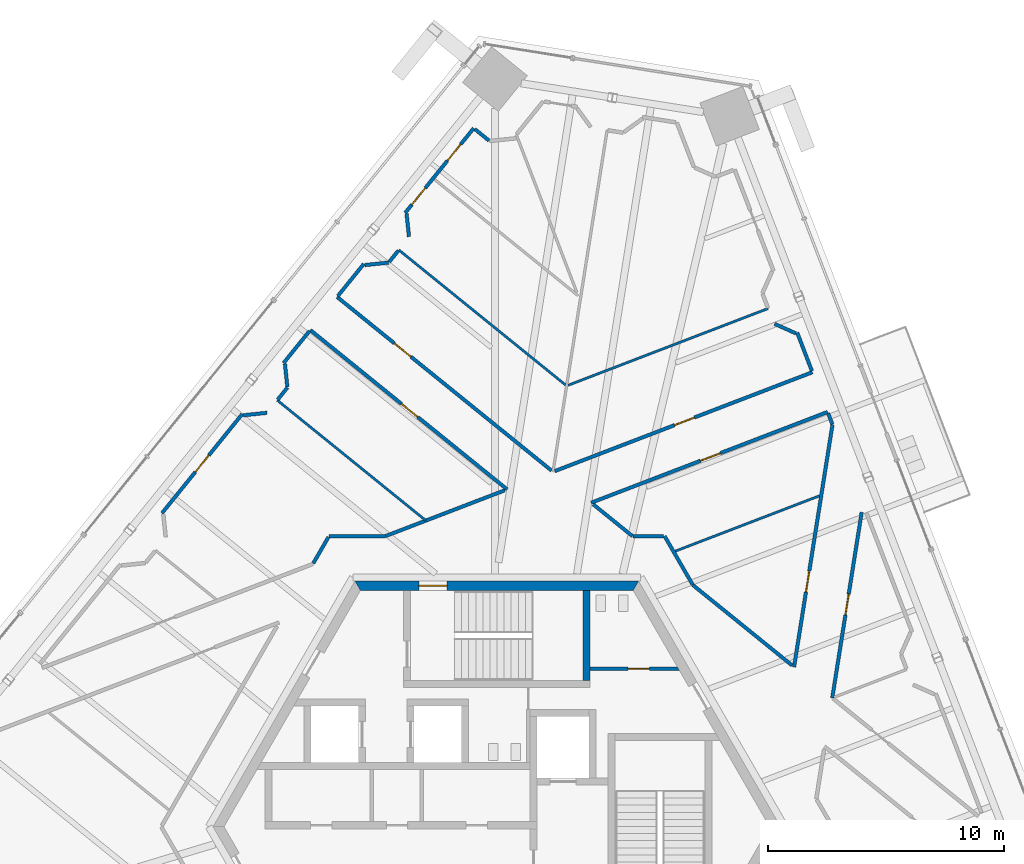
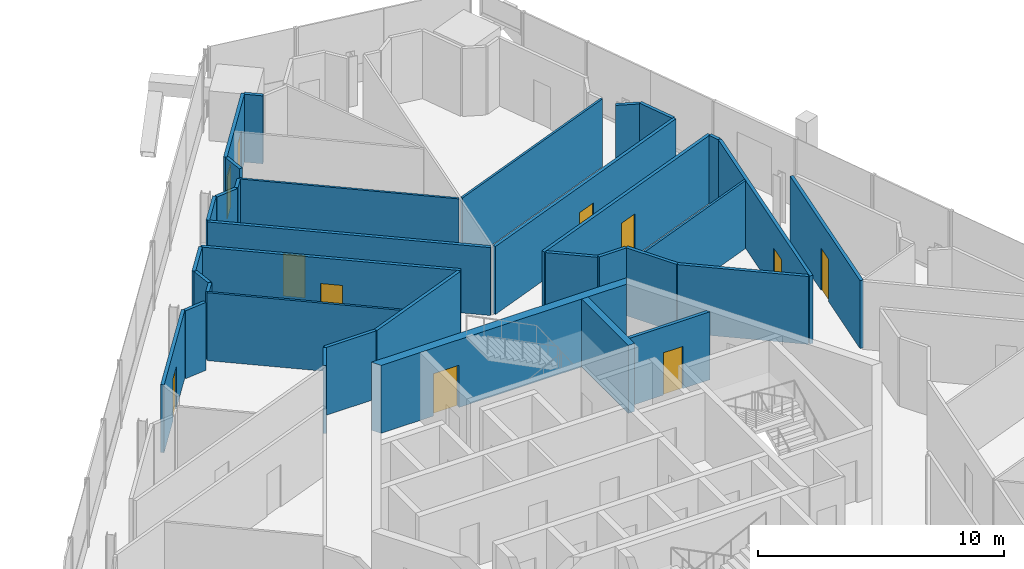
# One storey, part 17 of 23: 34 walls, 11 doors, 11 openings.
"""IFC4 building model written with IfcOpenShell, lengths in metres."""

from ifc_helpers import new_model, si_unit, direction, frame, frame_2d, origin, place, context, subcontext, project, spatial, polyline, rectangle, outline, extrude, source, transform, mapped, material, layer, layer_set, type_object, element, fill, save


model = new_model("IFC4")

# Units and contexts
model_context = context("Model", 3, precision=1e-05, world=origin(), true_north=direction((0.0, 1.0)))
body_context = subcontext(model_context, "Body", "Model", "MODEL_VIEW")
ifc_project = project(units=[si_unit("LENGTHUNIT", "METRE"), si_unit("AREAUNIT", "SQUARE_METRE"), si_unit("VOLUMEUNIT", "CUBIC_METRE"), si_unit("PLANEANGLEUNIT", "RADIAN"), si_unit("MASSUNIT", "GRAM", prefix="KILO")], contexts=[model_context])

# Site, building, storey
site_placement = place(None, origin())
site = spatial("IfcSite", under=ifc_project, at=site_placement, CompositionType="ELEMENT")
building_placement = place(site_placement, origin())
building = spatial("IfcBuilding", under=site, at=building_placement, Name="Triune Harvest Tower", CompositionType="ELEMENT")
storey_placement = place(building_placement, frame((0.0, 0.0, 171.300048828125)))
storey = spatial("IfcBuildingStorey", under=building, at=storey_placement, Name="L44", CompositionType="ELEMENT", Elevation=171.300048828125)

# Wall, opening, door
ifc_material_1 = material(Name="Concrete masonry unit", Category="masonry")
ifc_layer_1 = layer(ifc_material_1, 0.14990234375)
ifc_layer_set_1 = layer_set([ifc_layer_1], Name="Concrete masonry unit")
wall_type_1 = type_object("IfcWallType", Name="Block partition 150 unrated", PredefinedType="PARTITIONING", material=ifc_layer_set_1)
wall_1_placement = place(storey_placement, frame((3.949951171875, 6.675048828125, 0.0), z_axis=(0.0, 0.0, 1.0), x_axis=(1.0, 0.0, 0.0)))
wall_1 = element("IfcWall", 1, at=wall_1_placement, inside=storey, type_object=wall_type_1, Name="Wc women south wall", PredefinedType="PARTITIONING", context=body_context, shape_type="SweptSolid", body=[
    extrude(outline(polyline([(0.0, -0.074951171875), (0.0, 0.074951171875), (3.693359375, 0.074951171875), (3.77978515625, -0.074951171875), (0.0, -0.074951171875)])), origin(), (0.0, 0.0, 1.0), 3.375),
])
opening_1_placement = place(wall_1_placement, frame((1.60009765625, 0.0, 0.0)))
opening_1 = element("IfcOpeningElement", 2, at=opening_1_placement, cuts=wall_1, Name="Opening CD-WW", PredefinedType="OPENING", context=body_context, shape_type="SweptSolid", body=[
    extrude(rectangle(XDim=0.89990234375, YDim=2.10009765625, at=frame_2d((0.449951171875, 1.050048828125))), frame((0.0, 0.0849609375, 0.0), z_axis=(0.0, -1.0, 0.0), x_axis=(1.0, 0.0, 0.0)), (0.0, 0.0, 1.0), 0.169921875),
])
ifc_material_2 = material(Name="Timber C24", Category="wood")
door_type_1 = type_object("IfcDoorType", Name="WC door 900", OperationType="SINGLE_SWING_LEFT", PredefinedType="DOOR", material=ifc_material_2)
door_1_placement = place(opening_1_placement, origin())
door_1 = element("IfcDoor", 3, at=door_1_placement, inside=storey, type_object=door_type_1, Name="Door CD-WW", OperationType="SINGLE_SWING_LEFT", OverallHeight=2.10009765625, OverallWidth=0.89990234375, PredefinedType="DOOR", context=body_context, shape_type="SweptSolid", body=[
    extrude(rectangle(XDim=0.89990234375, YDim=2.10009765625, at=frame_2d((0.449951171875, 1.050048828125))), frame((0.0, 0.02490234375, 0.0), z_axis=(0.0, -1.0, 0.0), x_axis=(1.0, 0.0, 0.0)), (0.0, 0.0, 1.0), 0.050048828125),
])
fill(opening_1, door_1)

# Walls
ifc_material_3 = material(Name="Gypsum board on steel studs", Category="steel")
ifc_layer_2 = layer(ifc_material_3, 0.14990234375)
ifc_layer_set_2 = layer_set([ifc_layer_2], Name="Gypsum board on steel studs")
wall_type_2 = type_object("IfcWallType", Name="Fire Partition 150 mm", PredefinedType="PARTITIONING", material=ifc_layer_set_2)
wall_2_placement = place(storey_placement, frame((14.014892578125, 17.48681640625, 0.0), z_axis=(0.0, 0.0, 1.0), x_axis=(0.358412723489, -0.933563238159, 0.0)))
element("IfcWall", 4, at=wall_2_placement, inside=storey, type_object=wall_type_2, Name="Partition L44 019", PredefinedType="PARTITIONING", context=body_context, shape_type="SweptSolid", body=[
    extrude(rectangle(XDim=0.4912109375, YDim=0.14990234375, at=frame_2d((0.24560546875, 0.0))), origin(), (0.0, 0.0, 1.0), 3.375),
])
wall_3_placement = place(storey_placement, frame((7.097412109375, 12.2919921875, 0.0), z_axis=(0.0, 0.0, 1.0), x_axis=(0.499956277081, -0.866050645752, 0.0)))
element("IfcWall", 5, at=wall_3_placement, inside=storey, type_object=wall_type_2, Name="Partition L44 025", PredefinedType="PARTITIONING", context=body_context, shape_type="SweptSolid", body=[
    extrude(rectangle(XDim=2.380126953125, YDim=0.14990234375, at=frame_2d((1.18994140625, 0.0))), origin(), (0.0, 0.0, 1.0), 3.375),
])

# Wall, opening, door
wall_4_placement = place(storey_placement, frame((-6.7548828125, 22.406982421875, 0.0), z_axis=(0.0, 0.0, 1.0), x_axis=(0.777146947686, -0.629319173157, 0.0)))
wall_4 = element("IfcWall", 6, at=wall_4_placement, inside=storey, type_object=wall_type_2, Name="Partition L44 043", PredefinedType="PARTITIONING", context=body_context, shape_type="SweptSolid", body=[
    extrude(rectangle(XDim=11.67138671875, YDim=0.14990234375, at=frame_2d((5.835693359375, 0.0))), origin(), (0.0, 0.0, 1.0), 3.375),
])
opening_2_placement = place(wall_4_placement, frame((3.118408203125, 0.0, 0.0)))
opening_2 = element("IfcOpeningElement", 7, at=opening_2_placement, cuts=wall_4, Name="Opening L44-016", PredefinedType="OPENING", context=body_context, shape_type="SweptSolid", body=[
    extrude(rectangle(XDim=0.89990234375, YDim=2.10009765625, at=frame_2d((0.449951171875, 1.050048828125))), frame((0.0, 0.0849609375, 0.0), z_axis=(0.0, -1.0, 0.0), x_axis=(1.0, 0.0, 0.0)), (0.0, 0.0, 1.0), 0.169921875),
])
ifc_material_4 = material(Name="Timber and steel door set", Category="steel")
door_type_2 = type_object("IfcDoorType", Name="Single leaf door FD30 left hand 900 x 2100", OperationType="SINGLE_SWING_LEFT", PredefinedType="DOOR", material=ifc_material_4)
door_2_placement = place(opening_2_placement, origin())
door_2 = element("IfcDoor", 8, at=door_2_placement, inside=storey, type_object=door_type_2, Name="Door L44-016 Office 44.16", OperationType="SINGLE_SWING_LEFT", OverallHeight=2.10009765625, OverallWidth=0.89990234375, PredefinedType="DOOR", context=body_context, shape_type="SweptSolid", body=[
    extrude(rectangle(XDim=0.89990234375, YDim=2.10009765625, at=frame_2d((0.449951171875, 1.050048828125))), frame((0.0, 0.02490234375, 0.0), z_axis=(0.0, -1.0, 0.0), x_axis=(1.0, 0.0, 0.0)), (0.0, 0.0, 1.0), 0.050048828125),
])
fill(opening_2, door_2)

# Walls
wall_5_placement = place(storey_placement, frame((8.292236328125, 10.221923828125, 0.0), z_axis=(0.0, 0.0, 1.0), x_axis=(0.777158520976, -0.629304881019, 0.0)))
element("IfcWall", 9, at=wall_5_placement, inside=storey, type_object=wall_type_2, Name="Partition L44 045", PredefinedType="PARTITIONING", context=body_context, shape_type="SweptSolid", body=[
    extrude(rectangle(XDim=5.3994140625, YDim=0.14990234375, at=frame_2d((2.69970703125, 0.0))), origin(), (0.0, 0.0, 1.0), 3.375),
])
wall_6_placement = place(storey_placement, frame((5.765625, 12.292236328125, 0.0), z_axis=(0.0, 0.0, 1.0), x_axis=(1.0, 0.0, 0.0)))
element("IfcWall", 10, at=wall_6_placement, inside=storey, type_object=wall_type_2, Name="Partition L44 076", PredefinedType="PARTITIONING", context=body_context, shape_type="SweptSolid", body=[
    extrude(rectangle(XDim=1.281494140625, YDim=0.14990234375, at=frame_2d((0.640625, 0.0))), origin(), (0.0, 0.0, 1.0), 3.375),
])
wall_7_placement = place(storey_placement, frame((-4.70654296875, 12.292236328125, 0.0), z_axis=(0.0, 0.0, 1.0), x_axis=(0.933580798553, 0.358366980305, 0.0)))
element("IfcWall", 11, at=wall_7_placement, inside=storey, type_object=wall_type_2, Name="Partition L44 095", PredefinedType="PARTITIONING", context=body_context, shape_type="SweptSolid", body=[
    extrude(rectangle(XDim=5.399658203125, YDim=0.14990234375, at=frame_2d((2.69970703125, 0.0))), origin(), (0.0, 0.0, 1.0), 3.375),
])

# Wall, opening, door
wall_8_placement = place(storey_placement, frame((2.452392578125, 15.040283203125, 0.0), z_axis=(0.0, 0.0, 1.0), x_axis=(0.9335793899, 0.358370649961, 0.0)))
wall_8 = element("IfcWall", 12, at=wall_8_placement, inside=storey, type_object=wall_type_2, Name="Partition L44 096", PredefinedType="PARTITIONING", context=body_context, shape_type="SweptSolid", body=[
    extrude(rectangle(XDim=11.671142578125, YDim=0.14990234375, at=frame_2d((5.83544921875, 0.0))), origin(), (0.0, 0.0, 1.0), 3.375),
])
opening_3_placement = place(wall_8_placement, frame((5.421142578125, 0.0, 0.0)))
opening_3 = element("IfcOpeningElement", 13, at=opening_3_placement, cuts=wall_8, Name="Opening L44-009", PredefinedType="OPENING", context=body_context, shape_type="SweptSolid", body=[
    extrude(rectangle(XDim=0.89990234375, YDim=2.10009765625, at=frame_2d((0.449951171875, 1.050048828125))), frame((0.0, 0.0849609375, 0.0), z_axis=(0.0, -1.0, 0.0), x_axis=(1.0, 0.0, 0.0)), (0.0, 0.0, 1.0), 0.169921875),
])
ifc_material_5 = material(Name="Timber and steel door set", Category="steel")
door_type_3 = type_object("IfcDoorType", Name="Single leaf door FD30 right hand 900 x 2100", OperationType="SINGLE_SWING_RIGHT", PredefinedType="DOOR", material=ifc_material_5)
door_3_placement = place(opening_3_placement, origin())
door_3 = element("IfcDoor", 14, at=door_3_placement, inside=storey, type_object=door_type_3, Name="Door L44-009 Meeting Room 44.09", OperationType="SINGLE_SWING_RIGHT", OverallHeight=2.10009765625, OverallWidth=0.89990234375, PredefinedType="DOOR", context=body_context, shape_type="SweptSolid", body=[
    extrude(rectangle(XDim=0.89990234375, YDim=2.10009765625, at=frame_2d((0.449951171875, 1.050048828125))), frame((0.0, 0.02490234375, 0.0), z_axis=(0.0, -1.0, 0.0), x_axis=(1.0, 0.0, 0.0)), (0.0, 0.0, 1.0), 0.050048828125),
])
fill(opening_3, door_3)

# Walls
wall_9_placement = place(storey_placement, frame((-9.265625, 18.06640625, 0.0), z_axis=(0.0, 0.0, 1.0), x_axis=(0.629209009151, 0.777236143526, 0.0)))
element("IfcWall", 15, at=wall_9_placement, inside=storey, type_object=wall_type_2, Name="Partition L44 114", PredefinedType="PARTITIONING", context=body_context, shape_type="SweptSolid", body=[
    extrude(rectangle(XDim=0.6513671875, YDim=0.14990234375, at=frame_2d((0.32568359375, 0.0))), origin(), (0.0, 0.0, 1.0), 3.375),
])
wall_10_placement = place(storey_placement, frame((-4.555419921875, 23.88330078125, 0.0), z_axis=(0.0, 0.0, 1.0), x_axis=(0.629424112521, 0.777061958004, 0.0)))
element("IfcWall", 16, at=wall_10_placement, inside=storey, type_object=wall_type_2, Name="Partition L44 115", PredefinedType="PARTITIONING", context=body_context, shape_type="SweptSolid", body=[
    extrude(rectangle(XDim=0.621826171875, YDim=0.14990234375, at=frame_2d((0.31103515625, 0.0))), origin(), (0.0, 0.0, 1.0), 3.375),
])
wall_11_placement = place(storey_placement, frame((-9.01806640625, 19.612060546875, 0.0), z_axis=(0.0, 0.0, 1.0), x_axis=(0.629338998071, 0.777130893419, 0.0)))
element("IfcWall", 17, at=wall_11_placement, inside=storey, type_object=wall_type_2, Name="Partition L44 120", PredefinedType="PARTITIONING", context=body_context, shape_type="SweptSolid", body=[
    extrude(rectangle(XDim=1.74609375, YDim=0.14990234375, at=frame_2d((0.873046875, 0.0))), origin(), (0.0, 0.0, 1.0), 3.375),
])
wall_12_placement = place(storey_placement, frame((-6.722900390625, 22.4462890625, 0.0), z_axis=(0.0, 0.0, 1.0), x_axis=(0.629306866754, 0.777156913021, 0.0)))
element("IfcWall", 18, at=wall_12_placement, inside=storey, type_object=wall_type_2, Name="Partition L44 121", PredefinedType="PARTITIONING", context=body_context, shape_type="SweptSolid", body=[
    extrude(rectangle(XDim=1.745361328125, YDim=0.14990234375, at=frame_2d((0.87255859375, 0.0))), origin(), (0.0, 0.0, 1.0), 3.375),
])

# Wall, openings, doors
wall_13_placement = place(storey_placement, frame((-3.873046875, 25.965576171875, 0.0), z_axis=(0.0, 0.0, 1.0), x_axis=(0.629321811614, 0.777144811105, 0.0)))
wall_13 = element("IfcWall", 19, at=wall_13_placement, inside=storey, type_object=wall_type_2, Name="Partition L44 122", PredefinedType="PARTITIONING", context=body_context, shape_type="SweptSolid", body=[
    extrude(rectangle(XDim=4.60302734375, YDim=0.14990234375, at=frame_2d((2.301513671875, 0.0))), origin(), (0.0, 0.0, 1.0), 3.375),
])
opening_4_placement = place(wall_13_placement, frame((0.449951171875, 0.0, 0.0)))
opening_4 = element("IfcOpeningElement", 20, at=opening_4_placement, cuts=wall_13, Name="Opening L44-013", PredefinedType="OPENING", context=body_context, shape_type="SweptSolid", body=[
    extrude(rectangle(XDim=0.89990234375, YDim=2.10009765625, at=frame_2d((0.449951171875, 1.050048828125))), frame((0.0, 0.0849609375, 0.0), z_axis=(0.0, -1.0, 0.0), x_axis=(1.0, 0.0, 0.0)), (0.0, 0.0, 1.0), 0.169921875),
])
opening_5_placement = place(wall_13_placement, frame((2.828369140625, 0.0, 0.0)))
opening_5 = element("IfcOpeningElement", 21, at=opening_5_placement, cuts=wall_13, Name="Opening L44-014", PredefinedType="OPENING", context=body_context, shape_type="SweptSolid", body=[
    extrude(rectangle(XDim=0.89990234375, YDim=2.10009765625, at=frame_2d((0.449951171875, 1.050048828125))), frame((0.0, 0.0849609375, 0.0), z_axis=(0.0, -1.0, 0.0), x_axis=(1.0, 0.0, 0.0)), (0.0, 0.0, 1.0), 0.169921875),
])
door_4_placement = place(opening_5_placement, origin())
door_4 = element("IfcDoor", 22, at=door_4_placement, inside=storey, type_object=door_type_2, Name="Door L44-014 Phone room 44.14", OperationType="SINGLE_SWING_LEFT", OverallHeight=2.10009765625, OverallWidth=0.89990234375, PredefinedType="DOOR", context=body_context, shape_type="SweptSolid", body=[
    extrude(rectangle(XDim=0.89990234375, YDim=2.10009765625, at=frame_2d((0.449951171875, 1.050048828125))), frame((0.0, 0.02490234375, 0.0), z_axis=(0.0, -1.0, 0.0), x_axis=(1.0, 0.0, 0.0)), (0.0, 0.0, 1.0), 0.050048828125),
])
fill(opening_5, door_4)
door_5_placement = place(opening_4_placement, origin())
door_5 = element("IfcDoor", 23, at=door_5_placement, inside=storey, type_object=door_type_3, Name="Door L44-013 Meeting Room 44.13", OperationType="SINGLE_SWING_RIGHT", OverallHeight=2.10009765625, OverallWidth=0.89990234375, PredefinedType="DOOR", context=body_context, shape_type="SweptSolid", body=[
    extrude(rectangle(XDim=0.89990234375, YDim=2.10009765625, at=frame_2d((0.449951171875, 1.050048828125))), frame((0.0, 0.02490234375, 0.0), z_axis=(0.0, -1.0, 0.0), x_axis=(1.0, 0.0, 0.0)), (0.0, 0.0, 1.0), 0.050048828125),
])
fill(opening_4, door_5)

# Wall
wall_14_placement = place(storey_placement, frame((-7.76220703125, 11.1396484375, 0.0), z_axis=(0.0, 0.0, 1.0), x_axis=(0.500074377092, 0.865982457891, 0.0)))
element("IfcWall", 24, at=wall_14_placement, inside=storey, type_object=wall_type_2, Name="Partition L44 126", PredefinedType="PARTITIONING", context=body_context, shape_type="SweptSolid", body=[
    extrude(rectangle(XDim=1.281005859375, YDim=0.14990234375, at=frame_2d((0.640625, 0.0))), origin(), (0.0, 0.0, 1.0), 3.375),
])

# Wall, opening, door
wall_15_placement = place(storey_placement, frame((14.189208984375, 5.44677734375, 0.0), z_axis=(0.0, 0.0, 1.0), x_axis=(0.156426162947, 0.987689655482, 0.0)))
wall_15 = element("IfcWall", 25, at=wall_15_placement, inside=storey, type_object=wall_type_2, Name="Partition L44 137", PredefinedType="PARTITIONING", context=body_context, shape_type="SweptSolid", body=[
    extrude(rectangle(XDim=7.950439453125, YDim=0.14990234375, at=frame_2d((3.97509765625, 0.0))), origin(), (0.0, 0.0, 1.0), 3.375),
])
opening_6_placement = place(wall_15_placement, frame((3.550048828125, 0.0, 0.0)))
opening_6 = element("IfcOpeningElement", 26, at=opening_6_placement, cuts=wall_15, Name="Opening L44-008", PredefinedType="OPENING", context=body_context, shape_type="SweptSolid", body=[
    extrude(rectangle(XDim=0.89990234375, YDim=2.10009765625, at=frame_2d((0.449951171875, 1.050048828125))), frame((0.0, 0.0849609375, 0.0), z_axis=(0.0, -1.0, 0.0), x_axis=(1.0, 0.0, 0.0)), (0.0, 0.0, 1.0), 0.169921875),
])
door_6_placement = place(opening_6_placement, origin())
door_6 = element("IfcDoor", 27, at=door_6_placement, inside=storey, type_object=door_type_2, Name="Door L44-008 Meeting Room 44.08", OperationType="SINGLE_SWING_LEFT", OverallHeight=2.10009765625, OverallWidth=0.89990234375, PredefinedType="DOOR", context=body_context, shape_type="SweptSolid", body=[
    extrude(rectangle(XDim=0.89990234375, YDim=2.10009765625, at=frame_2d((0.449951171875, 1.050048828125))), frame((0.0, 0.02490234375, 0.0), z_axis=(0.0, -1.0, 0.0), x_axis=(1.0, 0.0, 0.0)), (0.0, 0.0, 1.0), 0.050048828125),
])
fill(opening_6, door_6)

wall_16_placement = place(storey_placement, frame((12.573974609375, 6.754638671875, 0.0), z_axis=(0.0, 0.0, 1.0), x_axis=(0.156423837859, 0.987690023717, 0.0)))
wall_16 = element("IfcWall", 28, at=wall_16_placement, inside=storey, type_object=wall_type_2, Name="Partition L44 139", PredefinedType="PARTITIONING", context=body_context, shape_type="SweptSolid", body=[
    extrude(rectangle(XDim=10.382080078125, YDim=0.14990234375, at=frame_2d((5.19091796875, 0.0))), origin(), (0.0, 0.0, 1.0), 3.375),
])
opening_7_placement = place(wall_16_placement, frame((3.211181640625, 0.0, 0.0)))
opening_7 = element("IfcOpeningElement", 29, at=opening_7_placement, cuts=wall_16, Name="Opening L44-007", PredefinedType="OPENING", context=body_context, shape_type="SweptSolid", body=[
    extrude(rectangle(XDim=0.89990234375, YDim=2.10009765625, at=frame_2d((0.449951171875, 1.050048828125))), frame((0.0, 0.0849609375, 0.0), z_axis=(0.0, -1.0, 0.0), x_axis=(1.0, 0.0, 0.0)), (0.0, 0.0, 1.0), 0.169921875),
])
door_7_placement = place(opening_7_placement, origin())
door_7 = element("IfcDoor", 30, at=door_7_placement, inside=storey, type_object=door_type_2, Name="Door L44-007 Meeting Room 44.07", OperationType="SINGLE_SWING_LEFT", OverallHeight=2.10009765625, OverallWidth=0.89990234375, PredefinedType="DOOR", context=body_context, shape_type="SweptSolid", body=[
    extrude(rectangle(XDim=0.89990234375, YDim=2.10009765625, at=frame_2d((0.449951171875, 1.050048828125))), frame((0.0, 0.02490234375, 0.0), z_axis=(0.0, -1.0, 0.0), x_axis=(1.0, 0.0, 0.0)), (0.0, 0.0, 1.0), 0.050048828125),
])
fill(opening_7, door_7)

# Walls
ifc_material_6 = material(Name="Gypsum board on steel studs", Category="steel")
ifc_layer_3 = layer(ifc_material_6, 0.10009765625)
ifc_layer_set_3 = layer_set([ifc_layer_3], Name="Gypsum board on steel studs")
wall_type_3 = type_object("IfcWallType", Name="Partition 100 mm", PredefinedType="PARTITIONING", material=ifc_layer_set_3)
wall_17_placement = place(storey_placement, frame((-9.287109375, 18.039794921875, 0.0), z_axis=(0.0, 0.0, 1.0), x_axis=(0.777142974034, -0.629324080192, 0.0)))
element("IfcWall", 31, at=wall_17_placement, inside=storey, type_object=wall_type_3, Name="Partition L44 040", PredefinedType="PARTITIONING", context=body_context, shape_type="SweptSolid", body=[
    extrude(rectangle(XDim=8.09130859375, YDim=0.10009765625, at=frame_2d((4.045654296875, 0.0))), origin(), (0.0, 0.0, 1.0), 3.375),
])
wall_18_placement = place(storey_placement, frame((-4.142333984375, 24.392822265625, 0.0), z_axis=(0.0, 0.0, 1.0), x_axis=(0.777157735179, -0.629305851435, 0.0)))
element("IfcWall", 32, at=wall_18_placement, inside=storey, type_object=wall_type_3, Name="Partition L44 047", PredefinedType="PARTITIONING", context=body_context, shape_type="SweptSolid", body=[
    extrude(rectangle(XDim=9.0703125, YDim=0.10009765625, at=frame_2d((4.53515625, 0.0))), origin(), (0.0, 0.0, 1.0), 3.375),
])
wall_19_placement = place(storey_placement, frame((7.48046875, 11.628173828125, 0.0), z_axis=(0.0, 0.0, 1.0), x_axis=(0.933595188966, 0.358329489631, 0.0)))
element("IfcWall", 33, at=wall_19_placement, inside=storey, type_object=wall_type_3, Name="Partition L44 091", PredefinedType="PARTITIONING", context=body_context, shape_type="SweptSolid", body=[
    extrude(rectangle(XDim=6.599365234375, YDim=0.10009765625, at=frame_2d((3.2998046875, 0.0))), origin(), (0.0, 0.0, 1.0), 3.375),
])

# Wall, opening, door
ifc_material_7 = material(Name="Concrete 70 MPa", Category="concrete")
ifc_layer_4 = layer(ifc_material_7, 0.39990234375)
ifc_layer_set_4 = layer_set([ifc_layer_4], Name="Concrete 70 MPa")
wall_type_4 = type_object("IfcWallType", Name="Core wall 400", PredefinedType="SHEAR", material=ifc_layer_set_4)
shared_shape_1 = source(origin(), body_context, "Body", "SweptSolid", [
    extrude(outline(polyline([(-0.115478515625, -0.199951171875), (11.884521484375, -0.199951171875), (11.653564453125, 0.199951171875), (0.115478515625, 0.199951171875), (-0.115478515625, -0.199951171875)])), origin(), (0.0, 0.0, 1.0), 3.375),
])
wall_20_placement = place(storey_placement, frame((5.884521484375, 10.1923828125, 0.0), z_axis=(0.0, 0.0, 1.0), x_axis=(-1.0, 0.0, 0.0)))
wall_20 = element("IfcWall", 34, at=wall_20_placement, inside=storey, type_object=wall_type_4, Name="Hexagon 1 wall", PredefinedType="SHEAR", context=body_context, shape_type="MappedRepresentation", body=[
    mapped(shared_shape_1, transform((0.0, 0.0, 0.0), scale=1.0)),
])
opening_8_placement = place(wall_20_placement, frame((7.984619140625, 0.0, 0.0)))
opening_8 = element("IfcOpeningElement", 35, at=opening_8_placement, cuts=wall_20, Name="Opening CD-S1P", PredefinedType="OPENING", context=body_context, shape_type="SweptSolid", body=[
    extrude(rectangle(XDim=1.199951171875, YDim=2.10009765625, at=frame_2d((0.60009765625, 1.050048828125))), frame((0.0, 0.2099609375, 0.0), z_axis=(0.0, -1.0, 0.0), x_axis=(1.0, 0.0, 0.0)), (0.0, 0.0, 1.0), 0.419921875),
])
ifc_material_8 = material(Name="Steel S235", Category="steel")
door_type_4 = type_object("IfcDoorType", Name="Stair door 1200 FD120", OperationType="SINGLE_SWING_LEFT", PredefinedType="DOOR", material=ifc_material_8)
door_8_placement = place(opening_8_placement, frame((1.199951171875, 0.0, 0.0), z_axis=(0.0, 0.0, 1.0), x_axis=(-1.0, 0.0, 0.0)))
door_8 = element("IfcDoor", 36, at=door_8_placement, inside=storey, type_object=door_type_4, Name="Door CD-S1P", OperationType="SINGLE_SWING_RIGHT", OverallHeight=2.10009765625, OverallWidth=1.199951171875, PredefinedType="DOOR", context=body_context, shape_type="SweptSolid", body=[
    extrude(rectangle(XDim=1.199951171875, YDim=2.10009765625, at=frame_2d((0.60009765625, 1.050048828125))), frame((0.0, 0.02490234375, 0.0), z_axis=(0.0, -1.0, 0.0), x_axis=(1.0, 0.0, 0.0)), (0.0, 0.0, 1.0), 0.050048828125),
])
fill(opening_8, door_8)

# Walls
ifc_material_9 = material(Name="Concrete 70 MPa", Category="concrete")
ifc_layer_5 = layer(ifc_material_9, 0.300048828125)
ifc_layer_set_5 = layer_set([ifc_layer_5], Name="Concrete 70 MPa")
wall_type_5 = type_object("IfcWallType", Name="Core wall 300", PredefinedType="SHEAR", material=ifc_layer_set_5)
shared_shape_2 = source(origin(), body_context, "Body", "SweptSolid", [
    extrude(outline(polyline([(0.0, -0.14990234375), (0.0, 0.14990234375), (3.80419921875, 0.14990234375), (3.80419921875, -0.14990234375), (0.0, -0.14990234375)])), origin(), (0.0, 0.0, 1.0), 3.375),
])
wall_21_placement = place(storey_placement, frame((3.800048828125, 6.18994140625, 0.0), z_axis=(0.0, 0.0, 1.0), x_axis=(0.0, 1.0, 0.0)))
element("IfcWall", 37, at=wall_21_placement, inside=storey, type_object=wall_type_5, Name="Stair n east wall", PredefinedType="SHEAR", context=body_context, shape_type="MappedRepresentation", body=[
    mapped(shared_shape_2, transform((0.0, 0.0, 0.0), scale=1.0)),
])
shared_shape_3 = source(origin(), body_context, "Body", "SweptSolid", [
    extrude(rectangle(XDim=0.983642578125, YDim=0.14990234375, at=frame_2d((0.49169921875, 0.0))), origin(), (0.0, 0.0, 1.0), 3.375),
])
for number, where, z_axis, x_axis, name in (
    (38, (-8.96142578125, 19.580810546875, 0.0), (0.0, 0.0, 1.0), (0.104490984784, -0.994525833802, 0.0), "Partition L44 004"),
    (39, (-3.816650390625, 25.93408203125, 0.0), (0.0, 0.0, 1.0), (0.104490984784, -0.994525833802, 0.0), "Partition L44 005"),
):
    element("IfcWall", number, at=place(storey_placement, frame(where, z_axis=z_axis, x_axis=x_axis)), inside=storey, type_object=wall_type_2, Name=name, PredefinedType="PARTITIONING", context=body_context, shape_type="MappedRepresentation", body=[
        mapped(shared_shape_3, transform((0.0, 0.0, 0.0), scale=1.0)),
    ])
shared_shape_4 = source(origin(), body_context, "Body", "SweptSolid", [
    extrude(rectangle(XDim=1.73583984375, YDim=0.14990234375, at=frame_2d((0.867919921875, 0.0))), origin(), (0.0, 0.0, 1.0), 3.375),
])
wall_22_placement = place(storey_placement, frame((12.705322265625, 20.8984375, 0.0), z_axis=(0.0, 0.0, 1.0), x_axis=(0.358356982946, -0.933584636106, 0.0)))
element("IfcWall", 40, at=wall_22_placement, inside=storey, type_object=wall_type_2, Name="Partition L44 018", PredefinedType="PARTITIONING", context=body_context, shape_type="MappedRepresentation", body=[
    mapped(shared_shape_4, transform((0.0, 0.0, 0.0), scale=1.0)),
])

# Wall, opening, door
shared_shape_5 = source(origin(), body_context, "Body", "SweptSolid", [
    extrude(rectangle(XDim=5.3916015625, YDim=0.14990234375, at=frame_2d((2.69580078125, 0.0))), origin(), (0.0, 0.0, 1.0), 3.375),
])
wall_23_placement = place(storey_placement, frame((-14.16259765625, 13.259521484375, 0.0), z_axis=(0.0, 0.0, 1.0), x_axis=(0.629361040484, 0.777113042434, 0.0)))
wall_23 = element("IfcWall", 41, at=wall_23_placement, inside=storey, type_object=wall_type_2, Name="Partition L44 119", PredefinedType="PARTITIONING", context=body_context, shape_type="MappedRepresentation", body=[
    mapped(shared_shape_5, transform((0.0, 0.0, 0.0), scale=1.0)),
])
opening_9_placement = place(wall_23_placement, frame((2.25, 0.0, 0.0)))
opening_9 = element("IfcOpeningElement", 42, at=opening_9_placement, cuts=wall_23, Name="Opening L44-017", PredefinedType="OPENING", context=body_context, shape_type="SweptSolid", body=[
    extrude(rectangle(XDim=0.89990234375, YDim=2.10009765625, at=frame_2d((0.449951171875, 1.050048828125))), frame((0.0, 0.0849609375, 0.0), z_axis=(0.0, -1.0, 0.0), x_axis=(1.0, 0.0, 0.0)), (0.0, 0.0, 1.0), 0.169921875),
])
door_9_placement = place(opening_9_placement, origin())
door_9 = element("IfcDoor", 43, at=door_9_placement, inside=storey, type_object=door_type_2, Name="Door L44-017 Project Room 44.17", OperationType="SINGLE_SWING_LEFT", OverallHeight=2.10009765625, OverallWidth=0.89990234375, PredefinedType="DOOR", context=body_context, shape_type="SweptSolid", body=[
    extrude(rectangle(XDim=0.89990234375, YDim=2.10009765625, at=frame_2d((0.449951171875, 1.050048828125))), frame((0.0, 0.02490234375, 0.0), z_axis=(0.0, -1.0, 0.0), x_axis=(1.0, 0.0, 0.0)), (0.0, 0.0, 1.0), 0.050048828125),
])
fill(opening_9, door_9)

shared_shape_6 = source(origin(), body_context, "Body", "SweptSolid", [
    extrude(rectangle(XDim=10.7119140625, YDim=0.14990234375, at=frame_2d((5.35595703125, 0.0))), origin(), (0.0, 0.0, 1.0), 3.375),
])
wall_24_placement = place(storey_placement, frame((-7.887451171875, 21.00830078125, 0.0), z_axis=(0.0, 0.0, 1.0), x_axis=(0.777125965736, -0.629345082907, 0.0)))
wall_24 = element("IfcWall", 44, at=wall_24_placement, inside=storey, type_object=wall_type_2, Name="Partition L44 041", PredefinedType="PARTITIONING", context=body_context, shape_type="MappedRepresentation", body=[
    mapped(shared_shape_6, transform((0.0, 0.0, 0.0), scale=1.0)),
])
opening_10_placement = place(wall_24_placement, frame((4.949951171875, 0.0, 0.0)))
opening_10 = element("IfcOpeningElement", 45, at=opening_10_placement, cuts=wall_24, Name="Opening L44-015", PredefinedType="OPENING", context=body_context, shape_type="SweptSolid", body=[
    extrude(rectangle(XDim=0.89990234375, YDim=2.10009765625, at=frame_2d((0.449951171875, 1.050048828125))), frame((0.0, 0.0849609375, 0.0), z_axis=(0.0, -1.0, 0.0), x_axis=(1.0, 0.0, 0.0)), (0.0, 0.0, 1.0), 0.169921875),
])
door_10_placement = place(opening_10_placement, origin())
door_10 = element("IfcDoor", 46, at=door_10_placement, inside=storey, type_object=door_type_2, Name="Door L44-015 Meeting Room 44.15", OperationType="SINGLE_SWING_LEFT", OverallHeight=2.10009765625, OverallWidth=0.89990234375, PredefinedType="DOOR", context=body_context, shape_type="SweptSolid", body=[
    extrude(rectangle(XDim=0.89990234375, YDim=2.10009765625, at=frame_2d((0.449951171875, 1.050048828125))), frame((0.0, 0.02490234375, 0.0), z_axis=(0.0, -1.0, 0.0), x_axis=(1.0, 0.0, 0.0)), (0.0, 0.0, 1.0), 0.050048828125),
])
fill(opening_10, door_10)

wall_25_placement = place(storey_placement, frame((3.992919921875, 13.70361328125, 0.0), z_axis=(0.0, 0.0, 1.0), x_axis=(0.933579195809, 0.358371155581, 0.0)))
wall_25 = element("IfcWall", 47, at=wall_25_placement, inside=storey, type_object=wall_type_2, Name="Partition L44 093", PredefinedType="PARTITIONING", context=body_context, shape_type="MappedRepresentation", body=[
    mapped(shared_shape_6, transform((0.0, 0.0, 0.0), scale=1.0)),
])
opening_11_placement = place(wall_25_placement, frame((4.949951171875, 0.0, 0.0)))
opening_11 = element("IfcOpeningElement", 48, at=opening_11_placement, cuts=wall_25, Name="Opening L44-010", PredefinedType="OPENING", context=body_context, shape_type="SweptSolid", body=[
    extrude(rectangle(XDim=0.89990234375, YDim=2.10009765625, at=frame_2d((0.449951171875, 1.050048828125))), frame((0.0, 0.0849609375, 0.0), z_axis=(0.0, -1.0, 0.0), x_axis=(1.0, 0.0, 0.0)), (0.0, 0.0, 1.0), 0.169921875),
])
door_11_placement = place(opening_11_placement, origin())
door_11 = element("IfcDoor", 49, at=door_11_placement, inside=storey, type_object=door_type_2, Name="Door L44-010 Office 44.10", OperationType="SINGLE_SWING_LEFT", OverallHeight=2.10009765625, OverallWidth=0.89990234375, PredefinedType="DOOR", context=body_context, shape_type="SweptSolid", body=[
    extrude(rectangle(XDim=0.89990234375, YDim=2.10009765625, at=frame_2d((0.449951171875, 1.050048828125))), frame((0.0, 0.02490234375, 0.0), z_axis=(0.0, -1.0, 0.0), x_axis=(1.0, 0.0, 0.0)), (0.0, 0.0, 1.0), 0.050048828125),
])
fill(opening_11, door_11)

# Walls
shared_shape_7 = source(origin(), body_context, "Body", "SweptSolid", [
    extrude(rectangle(XDim=2.132568359375, YDim=0.14990234375, at=frame_2d((1.06640625, 0.0))), origin(), (0.0, 0.0, 1.0), 3.375),
])
wall_26_placement = place(storey_placement, frame((4.078369140625, 13.634521484375, 0.0), z_axis=(0.0, 0.0, 1.0), x_axis=(0.77707955586, -0.629402386287, 0.0)))
element("IfcWall", 50, at=wall_26_placement, inside=storey, type_object=wall_type_2, Name="Partition L44 044", PredefinedType="PARTITIONING", context=body_context, shape_type="MappedRepresentation", body=[
    mapped(shared_shape_7, transform((0.0, 0.0, 0.0), scale=1.0)),
])
shared_shape_8 = source(origin(), body_context, "Body", "SweptSolid", [
    extrude(rectangle(XDim=0.772705078125, YDim=0.14990234375, at=frame_2d((0.38623046875, 0.0))), origin(), (0.0, 0.0, 1.0), 3.375),
])
wall_27_placement = place(storey_placement, frame((-0.929443359375, 29.505126953125, 0.0), z_axis=(0.0, 0.0, 1.0), x_axis=(0.777156579316, -0.62930727886, 0.0)))
element("IfcWall", 51, at=wall_27_placement, inside=storey, type_object=wall_type_2, Name="Partition L44 049", PredefinedType="PARTITIONING", context=body_context, shape_type="MappedRepresentation", body=[
    mapped(shared_shape_8, transform((0.0, 0.0, 0.0), scale=1.0)),
])
shared_shape_9 = source(origin(), body_context, "Body", "SweptSolid", [
    extrude(rectangle(XDim=0.98388671875, YDim=0.14990234375, at=frame_2d((0.491943359375, 0.0))), origin(), (0.0, 0.0, 1.0), 3.375),
])
wall_28_placement = place(storey_placement, frame((11.75048828125, 21.2666015625, 0.0), z_axis=(0.0, 0.0, 1.0), x_axis=(0.913576065366, -0.406667890042, 0.0)))
element("IfcWall", 52, at=wall_28_placement, inside=storey, type_object=wall_type_2, Name="Partition L44 053", PredefinedType="PARTITIONING", context=body_context, shape_type="MappedRepresentation", body=[
    mapped(shared_shape_9, transform((0.0, 0.0, 0.0), scale=1.0)),
])
shared_shape_10 = source(origin(), body_context, "Body", "SweptSolid", [
    extrude(rectangle(XDim=2.38037109375, YDim=0.14990234375, at=frame_2d((1.190185546875, 0.0))), origin(), (0.0, 0.0, 1.0), 3.375),
])
wall_29_placement = place(storey_placement, frame((-7.096923828125, 12.292236328125, 0.0), z_axis=(0.0, 0.0, 1.0), x_axis=(1.0, 0.0, 0.0)))
element("IfcWall", 53, at=wall_29_placement, inside=storey, type_object=wall_type_2, Name="Partition L44 075", PredefinedType="PARTITIONING", context=body_context, shape_type="MappedRepresentation", body=[
    mapped(shared_shape_10, transform((0.0, 0.0, 0.0), scale=1.0)),
])
shared_shape_11 = source(origin(), body_context, "Body", "SweptSolid", [
    extrude(rectangle(XDim=1.013671875, YDim=0.14990234375, at=frame_2d((0.5068359375, 0.0))), origin(), (0.0, 0.0, 1.0), 3.375),
])
for number, where, z_axis, x_axis, name in (
    (54, (-10.726806640625, 17.40087890625, 0.0), (0.0, 0.0, 1.0), (0.994521279075, 0.104534326742, 0.0), "Partition L44 080"),
    (55, (-5.58203125, 23.75390625, 0.0), (0.0, 0.0, 1.0), (0.994521279075, 0.104534326742, 0.0), "Partition L44 081"),
):
    element("IfcWall", number, at=place(storey_placement, frame(where, z_axis=z_axis, x_axis=x_axis)), inside=storey, type_object=wall_type_2, Name=name, PredefinedType="PARTITIONING", context=body_context, shape_type="MappedRepresentation", body=[
        mapped(shared_shape_11, transform((0.0, 0.0, 0.0), scale=1.0)),
    ])
shared_shape_12 = source(origin(), body_context, "Body", "SweptSolid", [
    extrude(rectangle(XDim=9.060546875, YDim=0.10009765625, at=frame_2d((4.5302734375, 0.0))), origin(), (0.0, 0.0, 1.0), 3.375),
])
wall_30_placement = place(storey_placement, frame((3.018798828125, 18.672119140625, 0.0), z_axis=(0.0, 0.0, 1.0), x_axis=(0.933587072459, 0.358350635744, 0.0)))
element("IfcWall", 56, at=wall_30_placement, inside=storey, type_object=wall_type_3, Name="Partition L44 097", PredefinedType="PARTITIONING", context=body_context, shape_type="MappedRepresentation", body=[
    mapped(shared_shape_12, transform((0.0, 0.0, 0.0), scale=1.0)),
])

save(model, "model.ifc")
